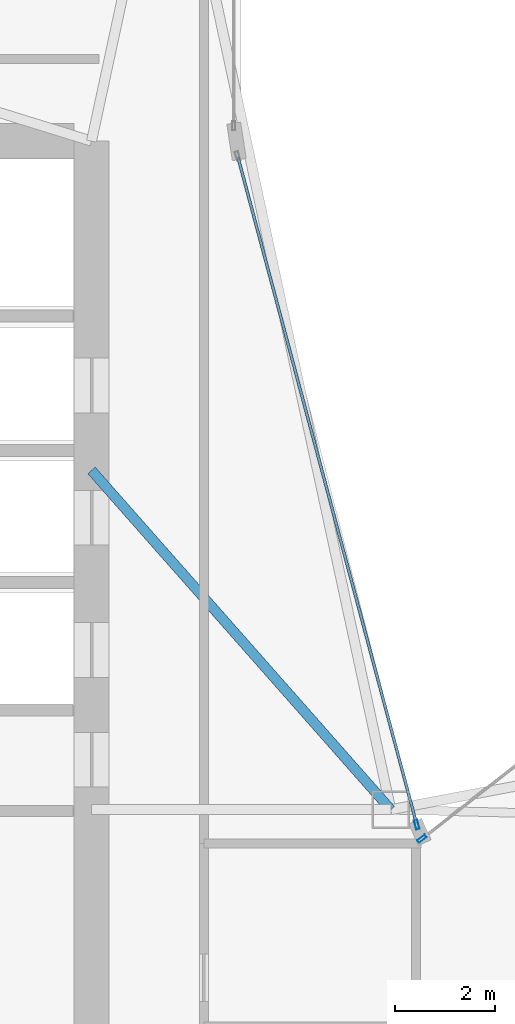
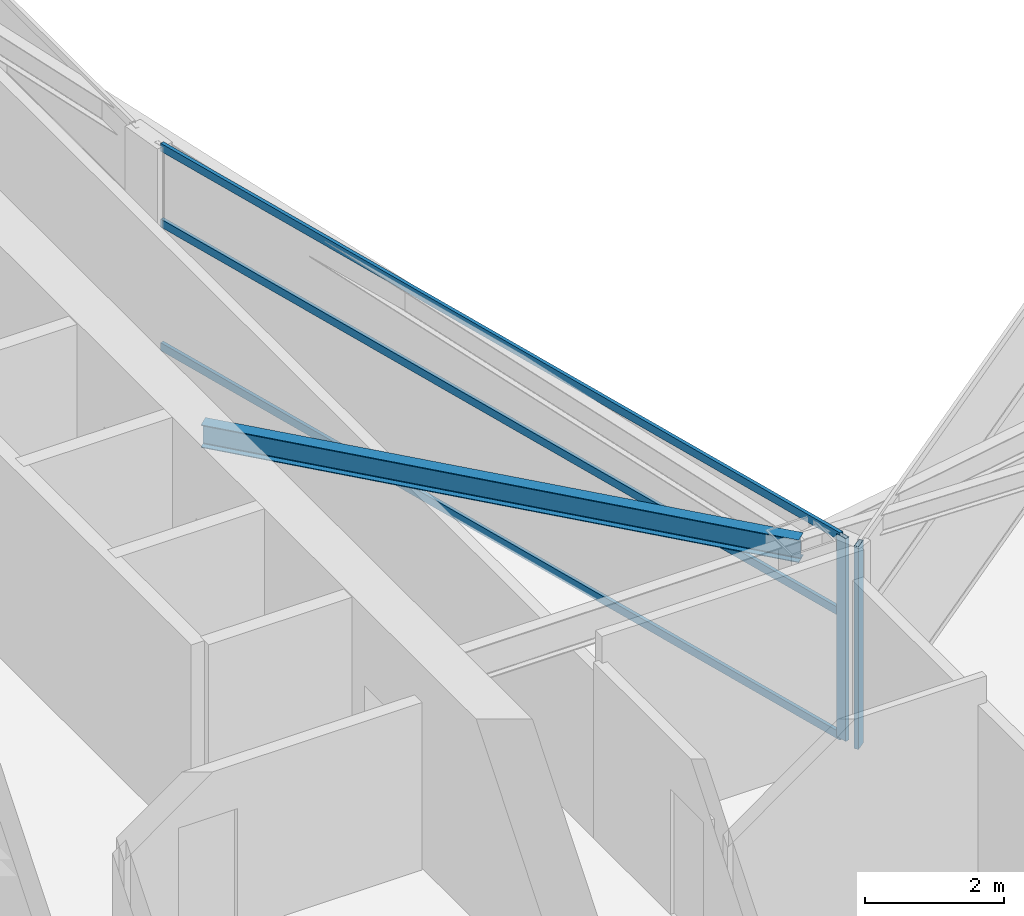
# One storey, part 10 of 29: 5 members, 1 beam, 2 elements without a shape of their own.
"""IFC4 building model written with IfcOpenShell, lengths in metres."""

from ifc_helpers import new_model, si_unit, direction, frame, origin, origin_2d, place, context, subcontext, project, spatial, hollow_rectangle, i_section, extrude, material, layer, layer_set, material_profile, profile_set, type_object, element, aggregate, save


model = new_model("IFC4")

# Units and contexts
model_context = context("Model", 3, precision=1e-05, world=origin(), true_north=direction((0.0, 1.0)))
body_context = subcontext(model_context, "Body", "Model", "MODEL_VIEW")
ifc_project = project(units=[si_unit("LENGTHUNIT", "METRE"), si_unit("AREAUNIT", "SQUARE_METRE"), si_unit("VOLUMEUNIT", "CUBIC_METRE"), si_unit("PLANEANGLEUNIT", "RADIAN"), si_unit("MASSUNIT", "GRAM", prefix="KILO")], contexts=[model_context])

# Site, building, storey
site_placement = place(None, origin())
site = spatial("IfcSite", under=ifc_project, at=site_placement, CompositionType="ELEMENT")
building_placement = place(site_placement, origin())
building = spatial("IfcBuilding", under=site, at=building_placement, Name="Calvorn Quay Hotel", CompositionType="ELEMENT")
storey_placement = place(building_placement, frame((0.0, 0.0, 199.60009765625)))
storey = spatial("IfcBuildingStorey", under=building, at=storey_placement, Name="L49", CompositionType="ELEMENT", Elevation=199.60009765625)

# Beam
ifc_material_1 = material(Name="Steel Q355B", Category="steel")
ifc_material_profile_1 = material_profile(ifc_material_1, i_section(OverallWidth=0.199951171875, OverallDepth=0.39990234375, WebThickness=0.008056640625, FlangeThickness=0.012939453125, FilletRadius=0.01611328125, at=origin_2d()), Name="HN400x200x8x13")
ifc_profile_set_1 = profile_set([ifc_material_profile_1], Name="Steel Q355B")
beam_type = type_object("IfcBeamType", Name="BM-JOIST-TYP", PredefinedType="JOIST", material=ifc_profile_set_1)
beam_placement = place(storey_placement, frame((15.0, 31.800048828125, 3.33984375), z_axis=(0.661618965899, -0.749840212287, 0.0), x_axis=(0.749840212287, 0.661618965899, 0.0)))
element("IfcBeam", 1, at=beam_placement, inside=storey, type_object=beam_type, Name="Beam BJ-L49-C1", PredefinedType="JOIST", context=body_context, shape_type="SweptSolid", body=[
    extrude(i_section(OverallWidth=0.199951171875, OverallDepth=0.39990234375, WebThickness=0.008056640625, FlangeThickness=0.012939453125, FilletRadius=0.01611328125, at=origin_2d()), origin(), (0.0, 0.0, 1.0), 9.068603515625),
])

# Curtain wall, member
ifc_material_2 = material(Name="Champagne Bronze Anodised Aluminium and Low-E Glass", Category="aluminium")
ifc_layer = layer(ifc_material_2, 0.219970703125)
ifc_layer_set = layer_set([ifc_layer], Name="CW-SYS-Z3")
curtain_wall_type = type_object("IfcCurtainWallType", Name="CW-SYS-Z3", PredefinedType="NOTDEFINED", material=ifc_layer_set)
curtain_wall_1_placement = place(storey_placement, origin())
curtain_wall_1 = element("IfcCurtainWall", 2, at=curtain_wall_1_placement, inside=storey, type_object=curtain_wall_type, Name="Inner Court Curtain Wall L49-NE1", PredefinedType="NOTDEFINED")
ifc_material_3 = material(Name="Champagne Bronze Anodised Aluminium 6063-T6", Category="aluminium")
ifc_material_profile_2 = material_profile(ifc_material_3, hollow_rectangle(XDim=0.068115234375, YDim=0.18505859375, WallThickness=0.00390625, at=origin_2d()), Name="ALU-M185x68x4")
ifc_profile_set_2 = profile_set([ifc_material_profile_2], Name="Champagne Bronze Anodised Aluminium 6063-T6")
member_type_1 = type_object("IfcMemberType", Name="CW-SYS-Z3-MUL", PredefinedType="MULLION", material=ifc_profile_set_2)
member_1_placement = place(storey_placement, frame((21.62353515625, 24.41845703125, 0.0), z_axis=(0.0, 0.0, 1.0), x_axis=(0.615819768044, -0.787887056174, 0.0)))
member_1 = element("IfcMember", 3, at=member_1_placement, type_object=member_type_1, Name="CW-L49-NE1 mullion 3", PredefinedType="MULLION", context=body_context, shape_type="SweptSolid", body=[
    extrude(hollow_rectangle(XDim=0.068115234375, YDim=0.18505859375, WallThickness=0.00390625, at=origin_2d()), origin(), (0.0, 0.0, 1.0), 3.559814453125),
])
aggregate(curtain_wall_1, [member_1])

# Curtain wall, members
curtain_wall_2_placement = place(storey_placement, origin())
curtain_wall_2 = element("IfcCurtainWall", 4, at=curtain_wall_2_placement, inside=storey, type_object=curtain_wall_type, Name="Inner Court Curtain Wall L49-IC1", PredefinedType="NOTDEFINED")
member_2_placement = place(storey_placement, frame((21.520263671875, 24.698974609375, 0.0), z_axis=(0.0, 0.0, 1.0), x_axis=(-0.96593652056, -0.25877913024, 0.0)))
member_2 = element("IfcMember", 5, at=member_2_placement, type_object=member_type_1, Name="CW-L49-IC1 mullion 1", PredefinedType="MULLION", context=body_context, shape_type="SweptSolid", body=[
    extrude(hollow_rectangle(XDim=0.068115234375, YDim=0.18505859375, WallThickness=0.00390625, at=origin_2d()), origin(), (0.0, 0.0, 1.0), 3.559814453125),
])
ifc_material_4 = material(Name="Champagne Bronze Anodised Aluminium 6063-T6", Category="aluminium")
ifc_material_profile_3 = material_profile(ifc_material_4, hollow_rectangle(XDim=0.05810546875, YDim=0.139892578125, WallThickness=0.003173828125, at=origin_2d()), Name="ALU-T140x58x3.2")
ifc_profile_set_3 = profile_set([ifc_material_profile_3], Name="Champagne Bronze Anodised Aluminium 6063-T6")
member_type_2 = type_object("IfcMemberType", Name="CW-SYS-Z3-TRN", PredefinedType="USERDEFINED", material=ifc_profile_set_3)
member_3_placement = place(storey_placement, frame((21.512451171875, 24.72802734375, 0.02978515625), z_axis=(-0.258781136883, 0.965935982969, 0.0), x_axis=(-0.965935982969, -0.258781136883, 0.0)))
member_3 = element("IfcMember", 6, at=member_3_placement, type_object=member_type_2, Name="CW-L49-IC1 transom 1.1", ObjectType="TRANSOM", PredefinedType="USERDEFINED", context=body_context, shape_type="SweptSolid", body=[
    extrude(hollow_rectangle(XDim=0.05810546875, YDim=0.139892578125, WallThickness=0.003173828125, at=origin_2d()), origin(), (0.0, 0.0, 1.0), 13.814453125),
])
member_4_placement = place(storey_placement, frame((21.512451171875, 24.72802734375, 2.199951171875), z_axis=(-0.258781136883, 0.965935982969, 0.0), x_axis=(-0.965935982969, -0.258781136883, 0.0)))
member_4 = element("IfcMember", 7, at=member_4_placement, type_object=member_type_2, Name="CW-L49-IC1 transom 1.2", ObjectType="TRANSOM", PredefinedType="USERDEFINED", context=body_context, shape_type="SweptSolid", body=[
    extrude(hollow_rectangle(XDim=0.05810546875, YDim=0.139892578125, WallThickness=0.003173828125, at=origin_2d()), origin(), (0.0, 0.0, 1.0), 13.814453125),
])
member_5_placement = place(storey_placement, frame((21.512451171875, 24.72802734375, 3.52978515625), z_axis=(-0.258781136883, 0.965935982969, 0.0), x_axis=(-0.965935982969, -0.258781136883, 0.0)))
member_5 = element("IfcMember", 8, at=member_5_placement, type_object=member_type_2, Name="CW-L49-IC1 transom 1.3", ObjectType="TRANSOM", PredefinedType="USERDEFINED", context=body_context, shape_type="SweptSolid", body=[
    extrude(hollow_rectangle(XDim=0.05810546875, YDim=0.139892578125, WallThickness=0.003173828125, at=origin_2d()), origin(), (0.0, 0.0, 1.0), 13.814453125),
])
aggregate(curtain_wall_2, [member_2, member_3, member_4, member_5])

save(model, "model.ifc")
